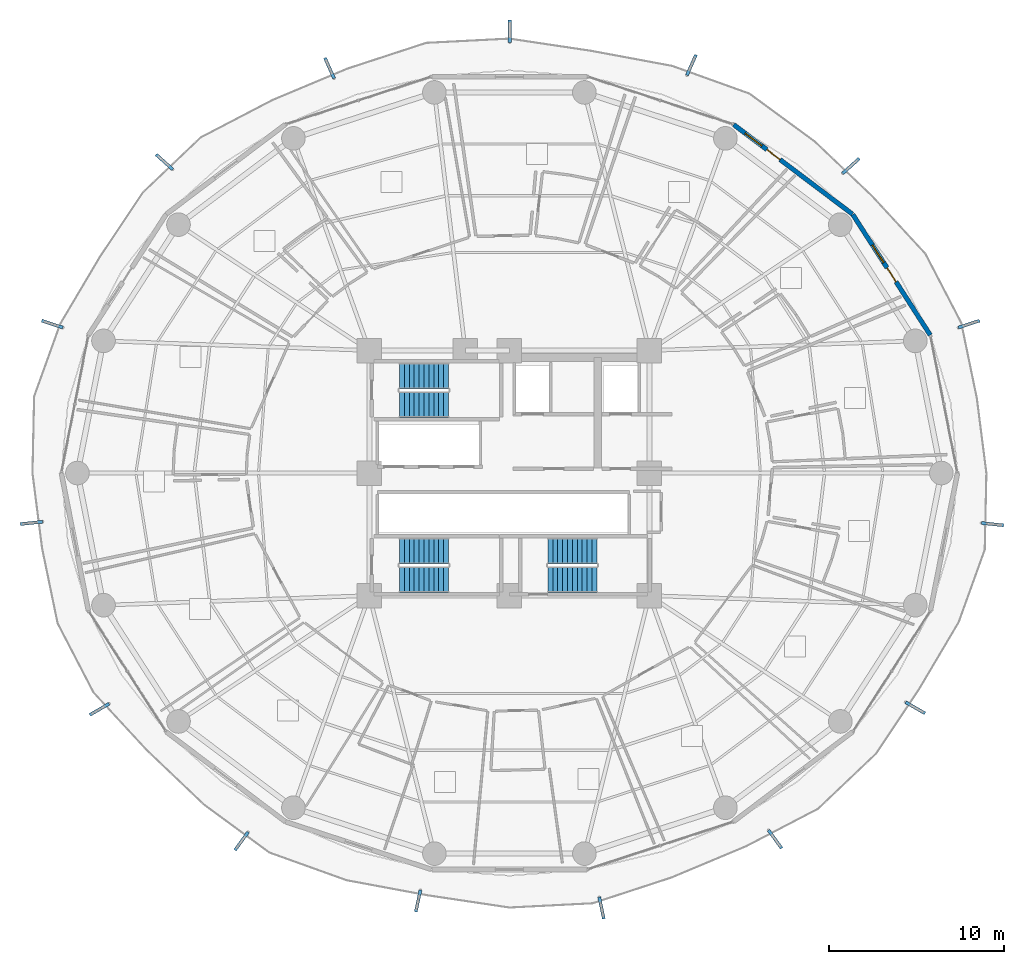
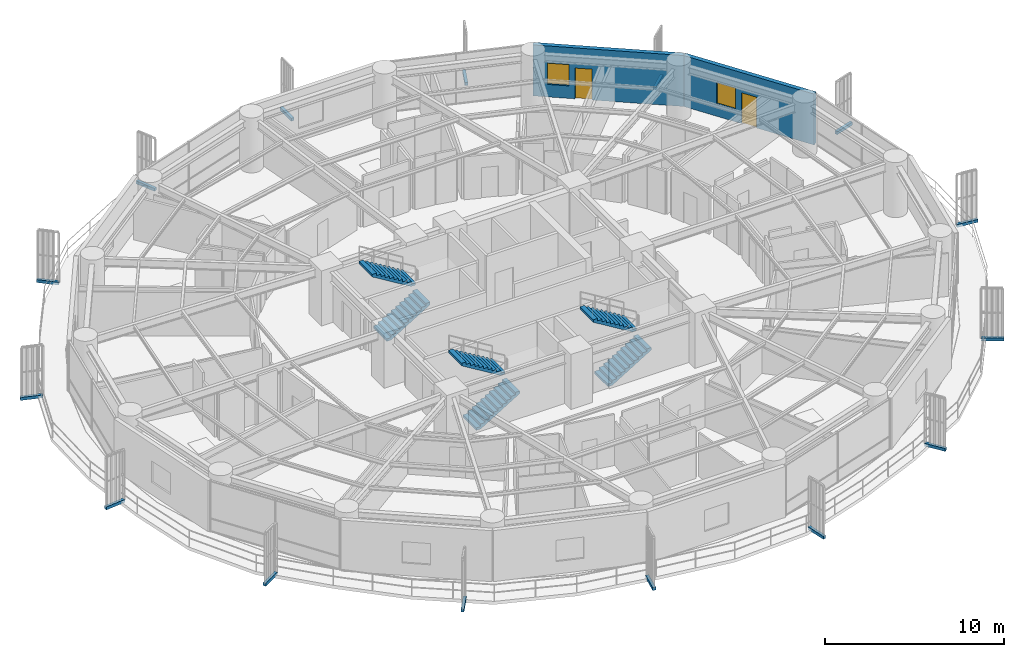
# One storey, part 31 of 35: 15 discrete accessories, 6 stair flights, 2 doors, 2 walls, 2 windows, 4 openings, 3 elements without a shape of their own.
"""IFC4 building model written with IfcOpenShell, lengths in metres."""

from ifc_helpers import new_model, si_unit, direction, frame, frame_2d, origin, origin_2d, place, context, subcontext, project, spatial, polyline, rectangle, outline, extrude, source, transform, mapped, material, layer, layer_set, type_object, element, fill, aggregate, save


model = new_model("IFC4")

# Units and contexts
model_context = context("Model", 3, precision=1e-05, world=origin(), true_north=direction((0.0, 1.0)))
body_context = subcontext(model_context, "Body", "Model", "MODEL_VIEW")
ifc_project = project(units=[si_unit("LENGTHUNIT", "METRE"), si_unit("AREAUNIT", "SQUARE_METRE"), si_unit("VOLUMEUNIT", "CUBIC_METRE"), si_unit("PLANEANGLEUNIT", "RADIAN"), si_unit("MASSUNIT", "GRAM", prefix="KILO")], contexts=[model_context])

# Site, building, storey
site_placement = place(None, origin())
site = spatial("IfcSite", under=ifc_project, at=site_placement, CompositionType="ELEMENT")
building_placement = place(site_placement, origin())
building = spatial("IfcBuilding", under=site, at=building_placement, Name="Kelanora Arch Commons", CompositionType="ELEMENT")
storey_placement = place(building_placement, frame((0.0, 0.0, 91.35009765625)))
storey = spatial("IfcBuildingStorey", under=building, at=storey_placement, Name="L23", CompositionType="ELEMENT", Elevation=91.35009765625)

# Wall, openings, door, window
ifc_material_1 = material(Name="Precast concrete C40/50 with terracotta rainscreen", Category="masonry")
ifc_layer = layer(ifc_material_1, 0.260009765625)
ifc_layer_set = layer_set([ifc_layer], Name="Precast concrete C40/50 with terracotta rainscreen")
wall_type = type_object("IfcWallType", Name="W-EXT-TC", PredefinedType="SOLIDWALL", material=ifc_layer_set)
wall_1_placement = place(storey_placement, frame((98.048095703125, 65.879150390625, 0.0), z_axis=(0.0, 0.0, 1.0), x_axis=(-0.540620528459, 0.841266571432, 0.0)))
wall_1 = element("IfcWall", 1, at=wall_1_placement, inside=storey, type_object=wall_type, Name="Terracotta Exterior Wall L23-B01", PredefinedType="SOLIDWALL", context=body_context, shape_type="SweptSolid", body=[
    extrude(rectangle(XDim=8.19287109375, YDim=0.260009765625, at=frame_2d((4.096435546875, 0.0))), origin(), (0.0, 0.0, 1.0), 3.474853515625),
])
opening_1_placement = place(wall_1_placement, frame((3.62109375, 0.0, 0.0)))
opening_1 = element("IfcOpeningElement", 2, at=opening_1_placement, cuts=wall_1, Name="Opening DB-01", PredefinedType="OPENING", context=body_context, shape_type="SweptSolid", body=[
    extrude(rectangle(XDim=0.949951171875, YDim=2.10009765625, at=frame_2d((0.47509765625, 1.050048828125))), frame((0.0, 0.14013671875, 0.0), z_axis=(0.0, -1.0, 0.0), x_axis=(1.0, 0.0, 0.0)), (0.0, 0.0, 1.0), 0.280029296875),
])
opening_2_placement = place(wall_1_placement, frame((4.9208984375, 0.0, 0.85009765625)))
opening_2 = element("IfcOpeningElement", 3, at=opening_2_placement, cuts=wall_1, Name="Opening WN-02", PredefinedType="OPENING", context=body_context, shape_type="SweptSolid", body=[
    extrude(rectangle(XDim=1.199951171875, YDim=1.449951171875, at=frame_2d((0.60009765625, 0.72509765625))), frame((0.0, 0.14013671875, 0.0), z_axis=(0.0, -1.0, 0.0), x_axis=(1.0, 0.0, 0.0)), (0.0, 0.0, 1.0), 0.280029296875),
])
ifc_material_2 = material(Name="Terracotta-aluminium thermally broken glazed balcony door", Category="masonry")
door_type = type_object("IfcDoorType", Name="D-BAL-10", OperationType="NOTDEFINED", PredefinedType="DOOR", material=ifc_material_2)
door_1_placement = place(opening_1_placement, frame((0.949951171875, 0.0, 0.0), z_axis=(0.0, 0.0, 1.0), x_axis=(-1.0, 0.0, 0.0)))
door_1 = element("IfcDoor", 4, at=door_1_placement, inside=storey, type_object=door_type, Name="Wave Balcony Door L23-B01", OperationType="SINGLE_SWING_LEFT", OverallHeight=2.10009765625, OverallWidth=0.949951171875, PredefinedType="DOOR", context=body_context, shape_type="SweptSolid", body=[
    extrude(rectangle(XDim=0.949951171875, YDim=2.10009765625, at=frame_2d((0.47509765625, 1.050048828125))), frame((0.0, 0.02490234375, 0.0), z_axis=(0.0, -1.0, 0.0), x_axis=(1.0, 0.0, 0.0)), (0.0, 0.0, 1.0), 0.050048828125),
])
fill(opening_1, door_1)
ifc_material_3 = material(Name="Terracotta-anodised aluminium frame with operable awning sash", Category="masonry")
window_type = type_object("IfcWindowType", Name="WIN-CL-12", PartitioningType="SINGLE_PANEL", PredefinedType="WINDOW", material=ifc_material_3)
window_1_placement = place(opening_2_placement, origin())
window_1 = element("IfcWindow", 5, at=window_1_placement, inside=storey, type_object=window_type, Name="Co-Living Operable Window L23-B01", OverallHeight=1.449951171875, OverallWidth=1.199951171875, PartitioningType="SINGLE_PANEL", PredefinedType="WINDOW", context=body_context, shape_type="SweptSolid", body=[
    extrude(rectangle(XDim=1.199951171875, YDim=1.449951171875, at=frame_2d((0.60009765625, 0.72509765625))), frame((0.0, 0.030029296875, 0.0), z_axis=(0.0, -1.0, 0.0), x_axis=(1.0, 0.0, 0.0)), (0.0, 0.0, 1.0), 0.06005859375),
])
fill(opening_2, window_1)

wall_2_placement = place(storey_placement, frame((93.5986328125, 72.793212890625, 0.0), z_axis=(0.0, 0.0, 1.0), x_axis=(-0.798501507879, 0.601992808857, 0.0)))
wall_2 = element("IfcWall", 6, at=wall_2_placement, inside=storey, type_object=wall_type, Name="Terracotta Exterior Wall L23-B02", PredefinedType="SOLIDWALL", context=body_context, shape_type="SweptSolid", body=[
    extrude(rectangle(XDim=8.499267578125, YDim=0.260009765625, at=frame_2d((4.24951171875, 0.0))), origin(), (0.0, 0.0, 1.0), 3.474853515625),
])
opening_3_placement = place(wall_2_placement, frame((5.175048828125, 0.0, 0.0)))
opening_3 = element("IfcOpeningElement", 7, at=opening_3_placement, cuts=wall_2, Name="Opening DB-01", PredefinedType="OPENING", context=body_context, shape_type="SweptSolid", body=[
    extrude(rectangle(XDim=0.949951171875, YDim=2.10009765625, at=frame_2d((0.47509765625, 1.050048828125))), frame((0.0, 0.14013671875, 0.0), z_axis=(0.0, -1.0, 0.0), x_axis=(1.0, 0.0, 0.0)), (0.0, 0.0, 1.0), 0.280029296875),
])
opening_4_placement = place(wall_2_placement, frame((6.47509765625, 0.0, 0.85009765625)))
opening_4 = element("IfcOpeningElement", 8, at=opening_4_placement, cuts=wall_2, Name="Opening WN-02", PredefinedType="OPENING", context=body_context, shape_type="SweptSolid", body=[
    extrude(rectangle(XDim=1.199951171875, YDim=1.449951171875, at=frame_2d((0.60009765625, 0.72509765625))), frame((0.0, 0.14013671875, 0.0), z_axis=(0.0, -1.0, 0.0), x_axis=(1.0, 0.0, 0.0)), (0.0, 0.0, 1.0), 0.280029296875),
])
door_2_placement = place(opening_3_placement, frame((0.949951171875, 0.0, 0.0), z_axis=(0.0, 0.0, 1.0), x_axis=(-1.0, 0.0, 0.0)))
door_2 = element("IfcDoor", 9, at=door_2_placement, inside=storey, type_object=door_type, Name="Wave Balcony Door L23-B02", OperationType="SINGLE_SWING_RIGHT", OverallHeight=2.10009765625, OverallWidth=0.949951171875, PredefinedType="DOOR", context=body_context, shape_type="SweptSolid", body=[
    extrude(rectangle(XDim=0.949951171875, YDim=2.10009765625, at=frame_2d((0.47509765625, 1.050048828125))), frame((0.0, 0.02490234375, 0.0), z_axis=(0.0, -1.0, 0.0), x_axis=(1.0, 0.0, 0.0)), (0.0, 0.0, 1.0), 0.050048828125),
])
fill(opening_3, door_2)
window_2_placement = place(opening_4_placement, origin())
window_2 = element("IfcWindow", 10, at=window_2_placement, inside=storey, type_object=window_type, Name="Co-Living Operable Window L23-B02", OverallHeight=1.449951171875, OverallWidth=1.199951171875, PartitioningType="SINGLE_PANEL", PredefinedType="WINDOW", context=body_context, shape_type="SweptSolid", body=[
    extrude(rectangle(XDim=1.199951171875, YDim=1.449951171875, at=frame_2d((0.60009765625, 0.72509765625))), frame((0.0, 0.030029296875, 0.0), z_axis=(0.0, -1.0, 0.0), x_axis=(1.0, 0.0, 0.0)), (0.0, 0.0, 1.0), 0.06005859375),
])
fill(opening_4, window_2)

# Stair, stair flights
ifc_material_4 = material(Name="Concrete C40/50", Category="concrete")
stair_type = type_object("IfcStairType", Name="STR-DL-375", PredefinedType="HALF_TURN_STAIR", material=ifc_material_4)
stair_1_placement = place(storey_placement, origin())
stair_1 = element("IfcStair", 11, at=stair_1_placement, inside=storey, type_object=stair_type, Name="L23 ST-T1", PredefinedType="HALF_TURN_STAIR")
stair_flight_type = type_object("IfcStairFlightType", Name="FLT-DL-375", PredefinedType="STRAIGHT", material=ifc_material_4)
stair_flight_1_placement = place(storey_placement, frame((67.719970703125, 61.919921875, 0.0), z_axis=(0.0, 0.0, 1.0), x_axis=(1.0, 0.0, 0.0)))
stair_flight_1 = element("IfcStairFlight", 12, at=stair_flight_1_placement, type_object=stair_flight_type, Name="ST-T1 flight 1", NumberOfRisers=11, NumberOfTreads=10, PredefinedType="STRAIGHT", RiserHeight=0.170454545, TreadLength=0.28, context=body_context, shape_type="SweptSolid", body=[
    extrude(outline(polyline([(0.0, 0.0), (0.0, 0.17041015625), (0.280029296875, 0.17041015625), (0.280029296875, 0.3408203125), (0.56005859375, 0.3408203125), (0.56005859375, 0.511474609375), (0.840087890625, 0.511474609375), (0.840087890625, 0.681884765625), (1.1201171875, 0.681884765625), (1.1201171875, 0.852294921875), (1.39990234375, 0.852294921875), (1.39990234375, 1.022705078125), (1.679931640625, 1.022705078125), (1.679931640625, 1.193115234375), (1.9599609375, 1.193115234375), (1.9599609375, 1.363525390625), (2.239990234375, 1.363525390625), (2.239990234375, 1.5341796875), (2.52001953125, 1.5341796875), (2.52001953125, 1.70458984375), (2.800048828125, 1.70458984375), (2.800048828125, 1.875), (2.800048828125, 1.529052734375), (0.288330078125, 0.0), (0.0, 0.0)])), frame((0.0, 0.739990234375, 0.0), z_axis=(0.0, -1.0, 0.0), x_axis=(1.0, 0.0, 0.0)), (0.0, 0.0, 1.0), 1.47998046875),
])
stair_flight_2_placement = place(storey_placement, frame((70.52001953125, 63.550048828125, 1.875), z_axis=(0.0, 0.0, 1.0), x_axis=(-1.0, 0.0, 0.0)))
stair_flight_2 = element("IfcStairFlight", 13, at=stair_flight_2_placement, type_object=stair_flight_type, Name="ST-T1 flight 2", NumberOfRisers=11, NumberOfTreads=10, PredefinedType="STRAIGHT", RiserHeight=0.170454545, TreadLength=0.28, context=body_context, shape_type="SweptSolid", body=[
    extrude(outline(polyline([(0.0, 0.0), (0.0, 0.17041015625), (0.280029296875, 0.17041015625), (0.280029296875, 0.3408203125), (0.56005859375, 0.3408203125), (0.56005859375, 0.511474609375), (0.840087890625, 0.511474609375), (0.840087890625, 0.681884765625), (1.1201171875, 0.681884765625), (1.1201171875, 0.852294921875), (1.39990234375, 0.852294921875), (1.39990234375, 1.022705078125), (1.679931640625, 1.022705078125), (1.679931640625, 1.193115234375), (1.9599609375, 1.193115234375), (1.9599609375, 1.363525390625), (2.239990234375, 1.363525390625), (2.239990234375, 1.5341796875), (2.52001953125, 1.5341796875), (2.52001953125, 1.70458984375), (2.800048828125, 1.70458984375), (2.800048828125, 1.875), (2.800048828125, 1.529052734375), (0.288330078125, 0.0), (0.0, 0.0)])), frame((0.0, 0.739990234375, 0.0), z_axis=(0.0, -1.0, 0.0), x_axis=(1.0, 0.0, 0.0)), (0.0, 0.0, 1.0), 1.47998046875),
])
aggregate(stair_1, [stair_flight_1, stair_flight_2])

stair_2_placement = place(storey_placement, origin())
stair_2 = element("IfcStair", 14, at=stair_2_placement, inside=storey, type_object=stair_type, Name="L23 ST-T2", PredefinedType="HALF_TURN_STAIR")
stair_flight_3_placement = place(storey_placement, frame((76.199951171875, 51.919921875, 0.0), z_axis=(0.0, 0.0, 1.0), x_axis=(1.0, 0.0, 0.0)))
stair_flight_3 = element("IfcStairFlight", 15, at=stair_flight_3_placement, type_object=stair_flight_type, Name="ST-T2 flight 1", NumberOfRisers=11, NumberOfTreads=10, PredefinedType="STRAIGHT", RiserHeight=0.170454545, TreadLength=0.28, context=body_context, shape_type="SweptSolid", body=[
    extrude(outline(polyline([(0.0, 0.0), (0.0, 0.17041015625), (0.280029296875, 0.17041015625), (0.280029296875, 0.3408203125), (0.56005859375, 0.3408203125), (0.56005859375, 0.511474609375), (0.840087890625, 0.511474609375), (0.840087890625, 0.681884765625), (1.1201171875, 0.681884765625), (1.1201171875, 0.852294921875), (1.39990234375, 0.852294921875), (1.39990234375, 1.022705078125), (1.679931640625, 1.022705078125), (1.679931640625, 1.193115234375), (1.9599609375, 1.193115234375), (1.9599609375, 1.363525390625), (2.239990234375, 1.363525390625), (2.239990234375, 1.5341796875), (2.52001953125, 1.5341796875), (2.52001953125, 1.70458984375), (2.800048828125, 1.70458984375), (2.800048828125, 1.875), (2.800048828125, 1.529052734375), (0.288330078125, 0.0), (0.0, 0.0)])), frame((0.0, 0.739990234375, 0.0), z_axis=(0.0, -1.0, 0.0), x_axis=(1.0, 0.0, 0.0)), (0.0, 0.0, 1.0), 1.47998046875),
])
stair_flight_4_placement = place(storey_placement, frame((79.0, 53.550048828125, 1.875), z_axis=(0.0, 0.0, 1.0), x_axis=(-1.0, 0.0, 0.0)))
stair_flight_4 = element("IfcStairFlight", 16, at=stair_flight_4_placement, type_object=stair_flight_type, Name="ST-T2 flight 2", NumberOfRisers=11, NumberOfTreads=10, PredefinedType="STRAIGHT", RiserHeight=0.170454545, TreadLength=0.28, context=body_context, shape_type="SweptSolid", body=[
    extrude(outline(polyline([(0.0, 0.0), (0.0, 0.17041015625), (0.280029296875, 0.17041015625), (0.280029296875, 0.3408203125), (0.56005859375, 0.3408203125), (0.56005859375, 0.511474609375), (0.840087890625, 0.511474609375), (0.840087890625, 0.681884765625), (1.1201171875, 0.681884765625), (1.1201171875, 0.852294921875), (1.39990234375, 0.852294921875), (1.39990234375, 1.022705078125), (1.679931640625, 1.022705078125), (1.679931640625, 1.193115234375), (1.9599609375, 1.193115234375), (1.9599609375, 1.363525390625), (2.239990234375, 1.363525390625), (2.239990234375, 1.5341796875), (2.52001953125, 1.5341796875), (2.52001953125, 1.70458984375), (2.800048828125, 1.70458984375), (2.800048828125, 1.875), (2.800048828125, 1.529052734375), (0.288330078125, 0.0), (0.0, 0.0)])), frame((0.0, 0.739990234375, 0.0), z_axis=(0.0, -1.0, 0.0), x_axis=(1.0, 0.0, 0.0)), (0.0, 0.0, 1.0), 1.47998046875),
])
aggregate(stair_2, [stair_flight_3, stair_flight_4])

stair_3_placement = place(storey_placement, origin())
stair_3 = element("IfcStair", 17, at=stair_3_placement, inside=storey, type_object=stair_type, Name="L23 ST-T3", PredefinedType="HALF_TURN_STAIR")
stair_flight_5_placement = place(storey_placement, frame((67.719970703125, 51.919921875, 0.0), z_axis=(0.0, 0.0, 1.0), x_axis=(1.0, 0.0, 0.0)))
stair_flight_5 = element("IfcStairFlight", 18, at=stair_flight_5_placement, type_object=stair_flight_type, Name="ST-T3 flight 1", NumberOfRisers=11, NumberOfTreads=10, PredefinedType="STRAIGHT", RiserHeight=0.170454545, TreadLength=0.28, context=body_context, shape_type="SweptSolid", body=[
    extrude(outline(polyline([(0.0, 0.0), (0.0, 0.17041015625), (0.280029296875, 0.17041015625), (0.280029296875, 0.3408203125), (0.56005859375, 0.3408203125), (0.56005859375, 0.511474609375), (0.840087890625, 0.511474609375), (0.840087890625, 0.681884765625), (1.1201171875, 0.681884765625), (1.1201171875, 0.852294921875), (1.39990234375, 0.852294921875), (1.39990234375, 1.022705078125), (1.679931640625, 1.022705078125), (1.679931640625, 1.193115234375), (1.9599609375, 1.193115234375), (1.9599609375, 1.363525390625), (2.239990234375, 1.363525390625), (2.239990234375, 1.5341796875), (2.52001953125, 1.5341796875), (2.52001953125, 1.70458984375), (2.800048828125, 1.70458984375), (2.800048828125, 1.875), (2.800048828125, 1.529052734375), (0.288330078125, 0.0), (0.0, 0.0)])), frame((0.0, 0.739990234375, 0.0), z_axis=(0.0, -1.0, 0.0), x_axis=(1.0, 0.0, 0.0)), (0.0, 0.0, 1.0), 1.47998046875),
])
stair_flight_6_placement = place(storey_placement, frame((70.52001953125, 53.550048828125, 1.875), z_axis=(0.0, 0.0, 1.0), x_axis=(-1.0, 0.0, 0.0)))
stair_flight_6 = element("IfcStairFlight", 19, at=stair_flight_6_placement, type_object=stair_flight_type, Name="ST-T3 flight 2", NumberOfRisers=11, NumberOfTreads=10, PredefinedType="STRAIGHT", RiserHeight=0.170454545, TreadLength=0.28, context=body_context, shape_type="SweptSolid", body=[
    extrude(outline(polyline([(0.0, 0.0), (0.0, 0.17041015625), (0.280029296875, 0.17041015625), (0.280029296875, 0.3408203125), (0.56005859375, 0.3408203125), (0.56005859375, 0.511474609375), (0.840087890625, 0.511474609375), (0.840087890625, 0.681884765625), (1.1201171875, 0.681884765625), (1.1201171875, 0.852294921875), (1.39990234375, 0.852294921875), (1.39990234375, 1.022705078125), (1.679931640625, 1.022705078125), (1.679931640625, 1.193115234375), (1.9599609375, 1.193115234375), (1.9599609375, 1.363525390625), (2.239990234375, 1.363525390625), (2.239990234375, 1.5341796875), (2.52001953125, 1.5341796875), (2.52001953125, 1.70458984375), (2.800048828125, 1.70458984375), (2.800048828125, 1.875), (2.800048828125, 1.529052734375), (0.288330078125, 0.0), (0.0, 0.0)])), frame((0.0, 0.739990234375, 0.0), z_axis=(0.0, -1.0, 0.0), x_axis=(1.0, 0.0, 0.0)), (0.0, 0.0, 1.0), 1.47998046875),
])
aggregate(stair_3, [stair_flight_5, stair_flight_6])

# Discrete accessories
ifc_material_5 = material(Name="Stainless steel 316 marine fin bracket", Category="steel")
discrete_accessory_type = type_object("IfcDiscreteAccessoryType", Name="ACC-FIN-BRK", PredefinedType="BRACKET", material=ifc_material_5)
shared_shape = source(origin(), body_context, "Body", "SweptSolid", [
    extrude(rectangle(XDim=1.274658203125, YDim=0.179931640625, at=origin_2d()), origin(), (0.0, 0.0, 1.0), 0.199951171875),
])
for number, where, z_axis, x_axis, name in (
    (20, (93.515380859375, 75.5458984375, -0.16015625), (0.0, 0.0, 1.0), (0.743611785628, 0.668611630377, 0.0), "Sweeping Fin Cantilever Spine Bracket L23-00"),
    (21, (84.399169921875, 81.310791015625, -0.16015625), (0.0, 0.0, 1.0), (0.407374318949, 0.913261279296, 0.0), "Sweeping Fin Cantilever Spine Bracket L23-01"),
    (22, (74.0185546875, 83.23779296875, -0.16015625), (0.0, 0.0, 1.0), (0.000698131644, 0.999999756306, 0.0), "Sweeping Fin Cantilever Spine Bracket L23-02"),
    (23, (63.7216796875, 81.13134765625, -0.16015625), (0.0, 0.0, 1.0), (-0.406098768964, 0.913829190738, 0.0), "Sweeping Fin Cantilever Spine Bracket L23-03"),
    (24, (54.288330078125, 75.774658203125, -0.16015625), (0.0, 0.0, 1.0), (-0.742677503127, 0.669649256215, 0.0), "Sweeping Fin Cantilever Spine Bracket L23-04"),
    (25, (47.885498046875, 66.50634765625, -0.16015625), (0.0, 0.0, 1.0), (-0.950840549986, 0.309680881719, 0.0), "Sweeping Fin Cantilever Spine Bracket L23-05"),
    (26, (46.69189453125, 55.14990234375, -0.16015625), (0.0, 0.0, 1.0), (-0.994594627637, -0.103834130589, 0.0), "Sweeping Fin Cantilever Spine Bracket L23-06"),
    (27, (50.5771484375, 44.499755859375, -0.16015625), (0.0, 0.0, 1.0), (-0.866374258561, -0.499395278414, 0.0), "Sweeping Fin Cantilever Spine Bracket L23-07"),
    (28, (58.697021484375, 36.969482421875, -0.16015625), (0.0, 0.0, 1.0), (-0.588349909417, -0.808606445738, 0.0), "Sweeping Fin Cantilever Spine Bracket L23-08"),
    (29, (68.78466796875, 33.5517578125, -0.16015625), (0.0, 0.0, 1.0), (-0.208594515944, -0.978002212635, 0.0), "Sweeping Fin Cantilever Spine Bracket L23-09"),
    (30, (79.262939453125, 33.150390625, -0.16015625), (0.0, 0.0, 1.0), (0.207228764358, -0.978292512096, 0.0), "Sweeping Fin Cantilever Spine Bracket L23-10"),
    (31, (89.178466796875, 37.076416015625, -0.16015625), (0.0, 0.0, 1.0), (0.587220308688, -0.809427148707, 0.0), "Sweeping Fin Cantilever Spine Bracket L23-11"),
    (32, (97.18896484375, 44.589111328125, -0.16015625), (0.0, 0.0, 1.0), (0.865676126917, -0.500604477892, 0.0), "Sweeping Fin Cantilever Spine Bracket L23-12"),
    (33, (101.604736328125, 55.078125, -0.16015625), (0.0, 0.0, 1.0), (0.994448678381, -0.105222745001, 0.0), "Sweeping Fin Cantilever Spine Bracket L23-13"),
    (34, (100.253173828125, 66.5087890625, -0.16015625), (0.0, 0.0, 1.0), (0.951272019071, 0.30835295642, 0.0), "Sweeping Fin Cantilever Spine Bracket L23-14"),
):
    element("IfcDiscreteAccessory", number, at=place(storey_placement, frame(where, z_axis=z_axis, x_axis=x_axis)), inside=storey, type_object=discrete_accessory_type, Name=name, PredefinedType="BRACKET", context=body_context, shape_type="MappedRepresentation", body=[
        mapped(shared_shape, transform((0.0, 0.0, 0.0), scale=1.0)),
    ])

save(model, "model.ifc")
